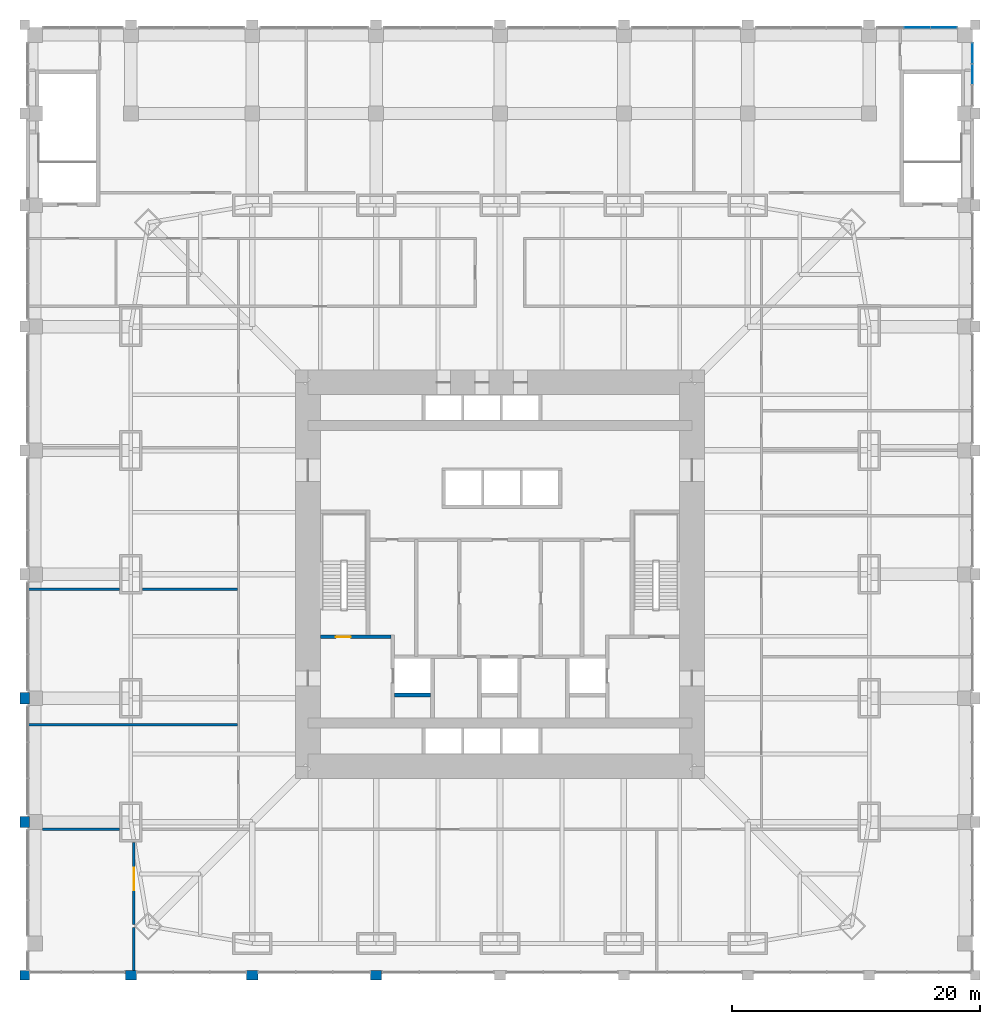
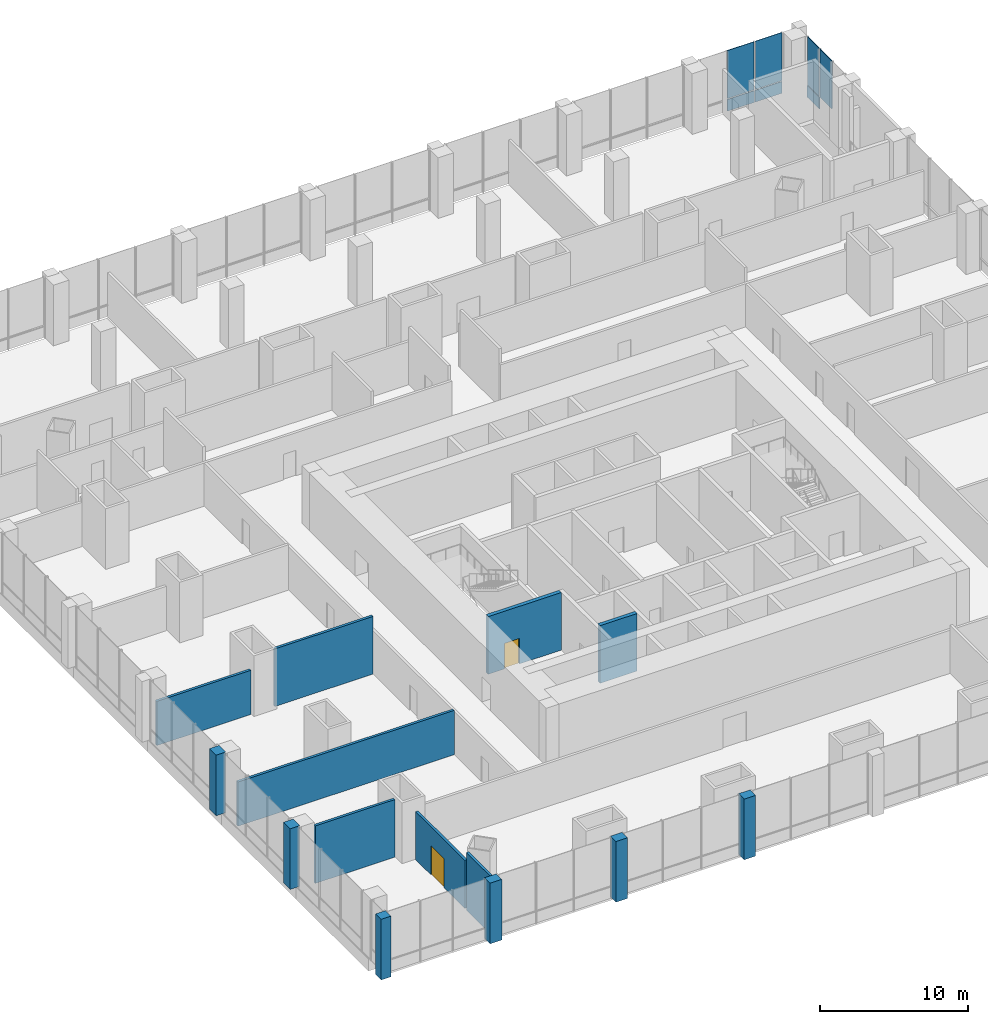
# One storey, part 16 of 22: 14 walls, 7 plates, 2 doors, 2 openings, 2 elements without a shape of their own.
"""IFC4 building model written with IfcOpenShell, lengths in metres."""

from ifc_helpers import new_model, si_unit, direction, frame, frame_2d, origin, origin_2d, place, context, subcontext, project, spatial, rectangle, extrude, material, layer, layer_set, type_object, element, fill, aggregate, save


model = new_model("IFC4")

# Units and contexts
model_context = context("Model", 3, precision=1e-05, world=origin(), true_north=direction((0.0, 1.0)))
body_context = subcontext(model_context, "Body", "Model", "MODEL_VIEW")
ifc_project = project(units=[si_unit("LENGTHUNIT", "METRE"), si_unit("AREAUNIT", "SQUARE_METRE"), si_unit("VOLUMEUNIT", "CUBIC_METRE"), si_unit("PLANEANGLEUNIT", "RADIAN"), si_unit("MASSUNIT", "GRAM", prefix="KILO")], contexts=[model_context])

# Site, building, storey
site_placement = place(None, origin())
site = spatial("IfcSite", under=ifc_project, at=site_placement, CompositionType="ELEMENT")
building_placement = place(site_placement, origin())
building = spatial("IfcBuilding", under=site, at=building_placement, Name="Khuree Lantern Residences", CompositionType="ELEMENT")
storey_placement = place(building_placement, frame((0.0, 0.0, 16.0)))
storey = spatial("IfcBuildingStorey", under=building, at=storey_placement, Name="L03", CompositionType="ELEMENT", Elevation=16.0)

# Curtain wall, plates
ifc_material_1 = material(Name="Bronze anodised aluminium", Category="aluminium")
curtain_wall_type = type_object("IfcCurtainWallType", Name="CW-P PODIUM STOREFRONT CURTAIN WALL", PredefinedType="USERDEFINED", material=ifc_material_1)
curtain_wall_1_placement = place(storey_placement, origin())
curtain_wall_1 = element("IfcCurtainWall", 1, at=curtain_wall_1_placement, inside=storey, type_object=curtain_wall_type, Name="L03 EAST FACE BAY 8 STOREFRONT", ObjectType="Storefront curtain wall", PredefinedType="USERDEFINED")
ifc_material_2 = material(Name="Bronze tinted laminated triple glazing", Category="glass")
ifc_layer_1 = layer(ifc_material_2, 0.0400390625)
ifc_layer_set_1 = layer_set([ifc_layer_1], Name="STOREFRONT GLASS PANEL P9")
plate_type_1 = type_object("IfcPlateType", Name="STOREFRONT GLASS PANEL P9", PredefinedType="CURTAIN_PANEL", material=ifc_layer_set_1)
plate_1_placement = place(storey_placement, frame((38.14990234375, 40.375, 1.03759765625), z_axis=(0.0, 0.0, 1.0), x_axis=(0.0, 1.0, 0.0)))
plate_1 = element("IfcPlate", 2, at=plate_1_placement, type_object=plate_type_1, Name="L03 EAST FACE BAY 8 PANEL 2.2", PredefinedType="CURTAIN_PANEL", context=body_context, shape_type="SweptSolid", body=[
    extrude(rectangle(XDim=1.61669921875, YDim=0.0400390625, at=origin_2d()), origin(), (0.0, 0.0, 1.0), 3.96240234375),
])
plate_2_placement = place(storey_placement, frame((38.14990234375, 42.066650390625, 1.03759765625), z_axis=(0.0, 0.0, 1.0), x_axis=(0.0, 1.0, 0.0)))
plate_2 = element("IfcPlate", 3, at=plate_2_placement, type_object=plate_type_1, Name="L03 EAST FACE BAY 8 PANEL 3.2", PredefinedType="CURTAIN_PANEL", context=body_context, shape_type="SweptSolid", body=[
    extrude(rectangle(XDim=1.61669921875, YDim=0.0400390625, at=origin_2d()), origin(), (0.0, 0.0, 1.0), 3.96240234375),
])

curtain_wall_2_placement = place(storey_placement, origin())
curtain_wall_2 = element("IfcCurtainWall", 4, at=curtain_wall_2_placement, inside=storey, type_object=curtain_wall_type, Name="L03 NORTH FACE BAY 1 STOREFRONT", ObjectType="Storefront curtain wall", PredefinedType="USERDEFINED")
plate_3_placement = place(storey_placement, frame((35.833251953125, 44.14990234375, 1.03759765625), z_axis=(0.0, 0.0, 1.0), x_axis=(-1.0, 0.0, 0.0)))
plate_3 = element("IfcPlate", 5, at=plate_3_placement, type_object=plate_type_1, Name="L03 NORTH FACE BAY 1 PANEL 1.2", PredefinedType="CURTAIN_PANEL", context=body_context, shape_type="SweptSolid", body=[
    extrude(rectangle(XDim=2.083251953125, YDim=0.0400390625, at=origin_2d()), origin(), (0.0, 0.0, 1.0), 3.96240234375),
])
plate_4_placement = place(storey_placement, frame((33.675048828125, 44.14990234375, 1.03759765625), z_axis=(0.0, 0.0, 1.0), x_axis=(-1.0, 0.0, 0.0)))
plate_4 = element("IfcPlate", 6, at=plate_4_placement, type_object=plate_type_1, Name="L03 NORTH FACE BAY 1 PANEL 2.2", PredefinedType="CURTAIN_PANEL", context=body_context, shape_type="SweptSolid", body=[
    extrude(rectangle(XDim=2.083251953125, YDim=0.0400390625, at=origin_2d()), origin(), (0.0, 0.0, 1.0), 3.96240234375),
])

# Plate
ifc_material_3 = material(Name="Bronze anodised aluminium insulated spandrel", Category="aluminium")
ifc_layer_2 = layer(ifc_material_3, 0.06005859375)
ifc_layer_set_2 = layer_set([ifc_layer_2], Name="STOREFRONT SPANDREL PANEL P10")
plate_type_2 = type_object("IfcPlateType", Name="STOREFRONT SPANDREL PANEL P10", PredefinedType="CURTAIN_PANEL", material=ifc_layer_set_2)
plate_5_placement = place(storey_placement, frame((38.14990234375, 42.066650390625, 0.0), z_axis=(0.0, 0.0, 1.0), x_axis=(0.0, 1.0, 0.0)))
plate_5 = element("IfcPlate", 7, at=plate_5_placement, type_object=plate_type_2, Name="L03 EAST FACE BAY 8 PANEL 3.1", PredefinedType="CURTAIN_PANEL", context=body_context, shape_type="SweptSolid", body=[
    extrude(rectangle(XDim=1.61669921875, YDim=0.06005859375, at=origin_2d()), origin(), (0.0, 0.0, 1.0), 0.96240234375),
])

aggregate(curtain_wall_1, [plate_1, plate_5, plate_2])

plate_6_placement = place(storey_placement, frame((35.833251953125, 44.14990234375, 0.0), z_axis=(0.0, 0.0, 1.0), x_axis=(-1.0, 0.0, 0.0)))
plate_6 = element("IfcPlate", 8, at=plate_6_placement, type_object=plate_type_2, Name="L03 NORTH FACE BAY 1 PANEL 1.1", PredefinedType="CURTAIN_PANEL", context=body_context, shape_type="SweptSolid", body=[
    extrude(rectangle(XDim=2.083251953125, YDim=0.06005859375, at=origin_2d()), origin(), (0.0, 0.0, 1.0), 0.96240234375),
])

plate_7_placement = place(storey_placement, frame((33.675048828125, 44.14990234375, 0.0), z_axis=(0.0, 0.0, 1.0), x_axis=(-1.0, 0.0, 0.0)))
plate_7 = element("IfcPlate", 9, at=plate_7_placement, type_object=plate_type_2, Name="L03 NORTH FACE BAY 1 PANEL 2.1", PredefinedType="CURTAIN_PANEL", context=body_context, shape_type="SweptSolid", body=[
    extrude(rectangle(XDim=2.083251953125, YDim=0.06005859375, at=origin_2d()), origin(), (0.0, 0.0, 1.0), 0.96240234375),
])

aggregate(curtain_wall_2, [plate_6, plate_3, plate_7, plate_4])

# Walls
ifc_material_4 = material(Name="Dense concrete blockwork", Category="masonry")
ifc_layer_3 = layer(ifc_material_4, 0.300048828125)
ifc_layer_set_3 = layer_set([ifc_layer_3], Name="CORE PARTITION WALL CPW300 EI 120")
wall_type_1 = type_object("IfcWallType", Name="CORE PARTITION WALL CPW300 EI 120", PredefinedType="PARTITIONING", material=ifc_layer_set_3)
wall_1_placement = place(storey_placement, frame((-8.5, -9.75, 0.0), z_axis=(0.0, 0.0, 1.0), x_axis=(1.0, 0.0, 0.0)))
element("IfcWall", 10, at=wall_1_placement, inside=storey, type_object=wall_type_1, Name="L03 CORE WALL FL1S", PredefinedType="PARTITIONING", context=body_context, shape_type="SweptSolid", body=[
    extrude(rectangle(XDim=2.89990234375, YDim=0.300048828125, at=frame_2d((1.449951171875, 0.0))), origin(), (0.0, 0.0, 1.0), 4.75),
])
ifc_layer_4 = layer(ifc_material_4, 0.199951171875)
ifc_layer_set_4 = layer_set([ifc_layer_4], Name="FIRE-RATED ROOM WALL FRW200 EI 120")
wall_type_2 = type_object("IfcWallType", Name="FIRE-RATED ROOM WALL FRW200 EI 120", PredefinedType="SOLIDWALL", material=ifc_layer_set_4)
wall_2_placement = place(storey_placement, frame((-36.919921875, -20.591064453125, 0.0), z_axis=(0.0, 0.0, 1.0), x_axis=(1.0, 0.0, 0.0)))
element("IfcWall", 11, at=wall_2_placement, inside=storey, type_object=wall_type_2, Name="L03 ROOM WALL 4", PredefinedType="SOLIDWALL", context=body_context, shape_type="SweptSolid", body=[
    extrude(rectangle(XDim=6.18994140625, YDim=0.199951171875, at=frame_2d((3.094970703125, 0.0))), origin(), (0.0, 0.0, 1.0), 4.75),
])
ifc_material_5 = material(Name="Flamed granite cladding on blockwork", Category="masonry")
ifc_layer_5 = layer(ifc_material_5, 0.75)
ifc_layer_set_5 = layer_set([ifc_layer_5], Name="PODIUM PIER PR1 900X750")
wall_type_3 = type_object("IfcWallType", Name="PODIUM PIER PR1 900X750", PredefinedType="SOLIDWALL", material=ifc_layer_set_5)
for number, where, z_axis, x_axis, name in (
    (12, (-30.25, -32.375, 0.0), (0.0, 0.0, 1.0), (1.0, 0.0, 0.0), "L03 SOUTH FACE PIER 1"),
    (13, (-20.449951171875, -32.375, 0.0), (0.0, 0.0, 1.0), (1.0, 0.0, 0.0), "L03 SOUTH FACE PIER 2"),
    (14, (-10.449951171875, -32.375, 0.0), (0.0, 0.0, 1.0), (1.0, 0.0, 0.0), "L03 SOUTH FACE PIER 3"),
    (15, (-38.375, -9.550048828125, 0.0), (0.0, 0.0, 1.0), (0.0, -1.0, 0.0), "L03 WEST FACE PIER 6"),
    (16, (-38.375, -19.550048828125, 0.0), (0.0, 0.0, 1.0), (0.0, -1.0, 0.0), "L03 WEST FACE PIER 7"),
):
    element("IfcWall", number, at=place(storey_placement, frame(where, z_axis=z_axis, x_axis=x_axis)), inside=storey, type_object=wall_type_3, Name=name, PredefinedType="SOLIDWALL", context=body_context, shape_type="SweptSolid", body=[
        extrude(rectangle(XDim=0.89990234375, YDim=0.75, at=frame_2d((0.449951171875, 0.0))), origin(), (0.0, 0.0, 1.0), 5.0),
    ])
wall_3_placement = place(storey_placement, frame((-38.375, -32.0, 0.0), z_axis=(0.0, 0.0, 1.0), x_axis=(0.0, -1.0, 0.0)))
element("IfcWall", 17, at=wall_3_placement, inside=storey, type_object=wall_type_3, Name="L03 WEST FACE PIER 8", PredefinedType="SOLIDWALL", context=body_context, shape_type="SweptSolid", body=[
    extrude(rectangle(XDim=0.75, YDim=0.75, at=frame_2d((0.375, 0.0))), origin(), (0.0, 0.0, 1.0), 5.0),
])
ifc_layer_6 = layer(ifc_material_4, 0.199951171875)
ifc_layer_set_6 = layer_set([ifc_layer_6], Name="ROOM WALL RMW200")
wall_type_4 = type_object("IfcWallType", Name="ROOM WALL RMW200", PredefinedType="SOLIDWALL", material=ifc_layer_set_6)
wall_4_placement = place(storey_placement, frame((-29.555908203125, -31.97998046875, 0.0), z_axis=(0.0, 0.0, 1.0), x_axis=(0.0, 1.0, 0.0)))
element("IfcWall", 18, at=wall_4_placement, inside=storey, type_object=wall_type_4, Name="L03 ROOM WALL 2", PredefinedType="SOLIDWALL", context=body_context, shape_type="SweptSolid", body=[
    extrude(rectangle(XDim=3.474853515625, YDim=0.199951171875, at=frame_2d((1.7373046875, 0.0))), origin(), (0.0, 0.0, 1.0), 4.75),
])

# Wall, opening, door
wall_5_placement = place(storey_placement, frame((-29.555908203125, -28.282958984375, 0.0), z_axis=(0.0, 0.0, 1.0), x_axis=(0.0, 1.0, 0.0)))
wall_5 = element("IfcWall", 19, at=wall_5_placement, inside=storey, type_object=wall_type_4, Name="L03 ROOM WALL 3", PredefinedType="SOLIDWALL", context=body_context, shape_type="SweptSolid", body=[
    extrude(rectangle(XDim=6.65283203125, YDim=0.199951171875, at=frame_2d((3.326416015625, 0.0))), origin(), (0.0, 0.0, 1.0), 3.9599609375),
])
opening_1_placement = place(wall_5_placement, frame((2.7919921875, 0.0, 0.0)))
opening_1 = element("IfcOpeningElement", 20, at=opening_1_placement, cuts=wall_5, Name="Opening 03-022", PredefinedType="OPENING", context=body_context, shape_type="SweptSolid", body=[
    extrude(rectangle(XDim=1.800048828125, YDim=2.39990234375, at=frame_2d((0.89990234375, 1.199951171875))), frame((0.0, 0.10986328125, 0.0), z_axis=(0.0, -1.0, 0.0), x_axis=(1.0, 0.0, 0.0)), (0.0, 0.0, 1.0), 0.219970703125),
])
ifc_material_6 = material(Name="Timber door leaf in hardwood frame", Category="wood")
door_type_1 = type_object("IfcDoorType", Name="DOUBLE DOOR 1800X2400", OperationType="DOUBLE_DOOR_SINGLE_SWING", PredefinedType="DOOR", material=ifc_material_6)
door_1_placement = place(opening_1_placement, origin())
door_1 = element("IfcDoor", 21, at=door_1_placement, inside=storey, type_object=door_type_1, Name="Spa door 03-022", OperationType="DOUBLE_DOOR_SINGLE_SWING", OverallHeight=2.39990234375, OverallWidth=1.800048828125, PredefinedType="DOOR", context=body_context, shape_type="SweptSolid", body=[
    extrude(rectangle(XDim=1.800048828125, YDim=2.39990234375, at=frame_2d((0.89990234375, 1.199951171875))), frame((0.0, 0.02490234375, 0.0), z_axis=(0.0, -1.0, 0.0), x_axis=(1.0, 0.0, 0.0)), (0.0, 0.0, 1.0), 0.050048828125),
])
fill(opening_1, door_1)

# Walls
wall_6_placement = place(storey_placement, frame((-38.074951171875, -12.14599609375, 0.0), z_axis=(0.0, 0.0, 1.0), x_axis=(1.0, 0.0, 0.0)))
element("IfcWall", 22, at=wall_6_placement, inside=storey, type_object=wall_type_4, Name="L03 ROOM WALL 9", PredefinedType="SOLIDWALL", context=body_context, shape_type="SweptSolid", body=[
    extrude(rectangle(XDim=16.864013671875, YDim=0.199951171875, at=frame_2d((8.43212890625, 0.0))), origin(), (0.0, 0.0, 1.0), 3.64990234375),
])
wall_7_placement = place(storey_placement, frame((-38.074951171875, -1.18701171875, 0.0), z_axis=(0.0, 0.0, 1.0), x_axis=(1.0, 0.0, 0.0)))
element("IfcWall", 23, at=wall_7_placement, inside=storey, type_object=wall_type_4, Name="L03 ROOM WALL 11", PredefinedType="SOLIDWALL", context=body_context, shape_type="SweptSolid", body=[
    extrude(rectangle(XDim=7.344970703125, YDim=0.199951171875, at=frame_2d((3.67236328125, 0.0))), origin(), (0.0, 0.0, 1.0), 3.64990234375),
])
wall_8_placement = place(storey_placement, frame((-28.869873046875, -1.18701171875, 0.0), z_axis=(0.0, 0.0, 1.0), x_axis=(1.0, 0.0, 0.0)))
element("IfcWall", 24, at=wall_8_placement, inside=storey, type_object=wall_type_4, Name="L03 ROOM WALL 12", PredefinedType="SOLIDWALL", context=body_context, shape_type="SweptSolid", body=[
    extrude(rectangle(XDim=7.658935546875, YDim=0.199951171875, at=frame_2d((3.82958984375, 0.0))), origin(), (0.0, 0.0, 1.0), 4.75),
])

# Wall, opening, door
ifc_material_7 = material(Name="Concrete C50/60", Category="concrete")
ifc_layer_7 = layer(ifc_material_7, 0.300048828125)
ifc_layer_set_7 = layer_set([ifc_layer_7], Name="STAIR WALL SRW300 C50/60 REI 240")
wall_type_5 = type_object("IfcWallType", Name="STAIR WALL SRW300 C50/60 REI 240", PredefinedType="SOLIDWALL", material=ifc_layer_set_7)
wall_9_placement = place(storey_placement, frame((-14.5, -5.050048828125, 0.0), z_axis=(0.0, 0.0, 1.0), x_axis=(1.0, 0.0, 0.0)))
wall_9 = element("IfcWall", 25, at=wall_9_placement, inside=storey, type_object=wall_type_5, Name="L03 STAIR WALL ST1S", PredefinedType="SOLIDWALL", context=body_context, shape_type="SweptSolid", body=[
    extrude(rectangle(XDim=5.699951171875, YDim=0.300048828125, at=frame_2d((2.85009765625, 0.0))), origin(), (0.0, 0.0, 1.0), 4.75),
])
opening_2_placement = place(wall_9_placement, frame((1.25, 0.0, 0.0)))
opening_2 = element("IfcOpeningElement", 26, at=opening_2_placement, cuts=wall_9, Name="Opening 03-001", PredefinedType="OPENING", context=body_context, shape_type="SweptSolid", body=[
    extrude(rectangle(XDim=1.199951171875, YDim=2.10009765625, at=frame_2d((0.60009765625, 1.050048828125))), frame((0.0, 0.16015625, 0.0), z_axis=(0.0, -1.0, 0.0), x_axis=(1.0, 0.0, 0.0)), (0.0, 0.0, 1.0), 0.320068359375),
])
ifc_material_8 = material(Name="Steel door leaf in steel frame", Category="steel")
door_type_2 = type_object("IfcDoorType", Name="STAIR DOOR 1200X2100 EI 120", OperationType="SINGLE_SWING_LEFT", PredefinedType="DOOR", material=ifc_material_8)
door_2_placement = place(opening_2_placement, origin())
door_2 = element("IfcDoor", 27, at=door_2_placement, inside=storey, type_object=door_type_2, Name="Stair ST1 door 03-001", OperationType="SINGLE_SWING_LEFT", OverallHeight=2.10009765625, OverallWidth=1.199951171875, PredefinedType="DOOR", context=body_context, shape_type="SweptSolid", body=[
    extrude(rectangle(XDim=1.199951171875, YDim=2.10009765625, at=frame_2d((0.60009765625, 1.050048828125))), frame((0.0, 0.02490234375, 0.0), z_axis=(0.0, -1.0, 0.0), x_axis=(1.0, 0.0, 0.0)), (0.0, 0.0, 1.0), 0.050048828125),
])
fill(opening_2, door_2)

save(model, "model.ifc")
